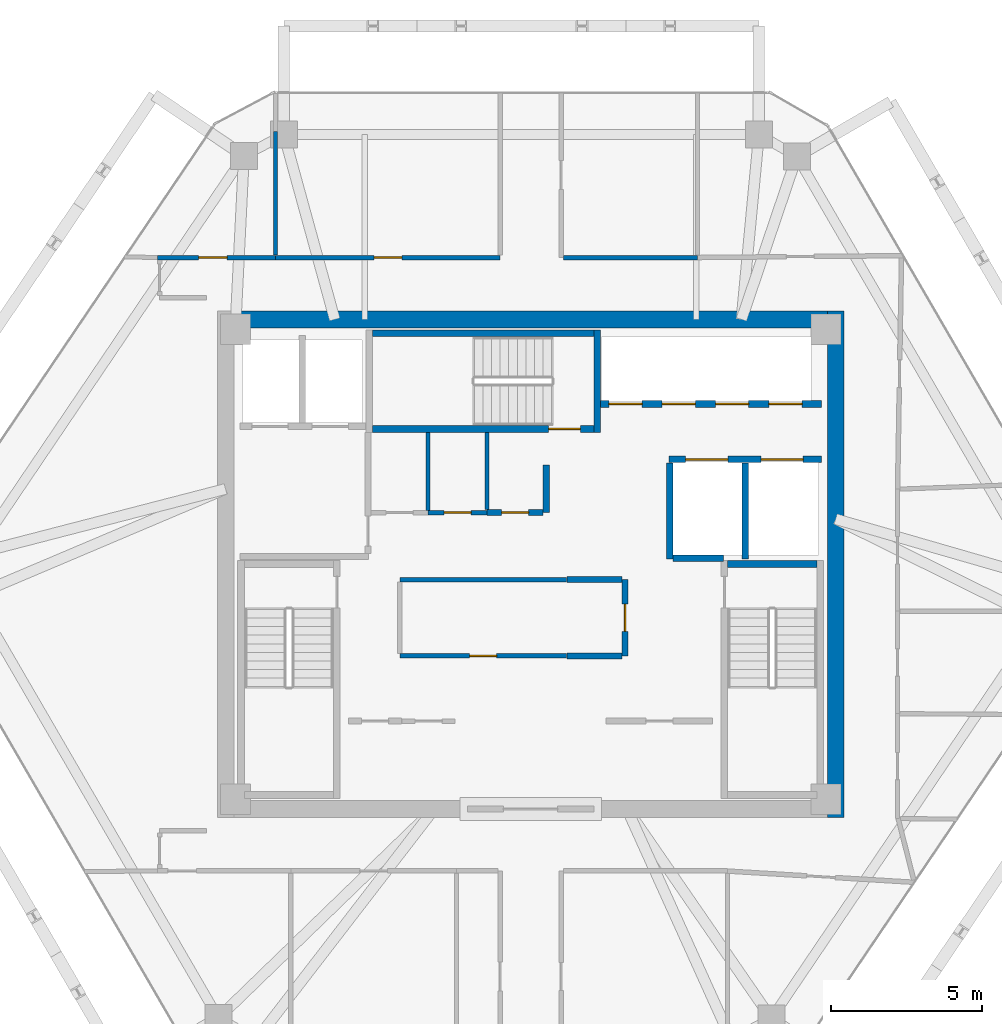
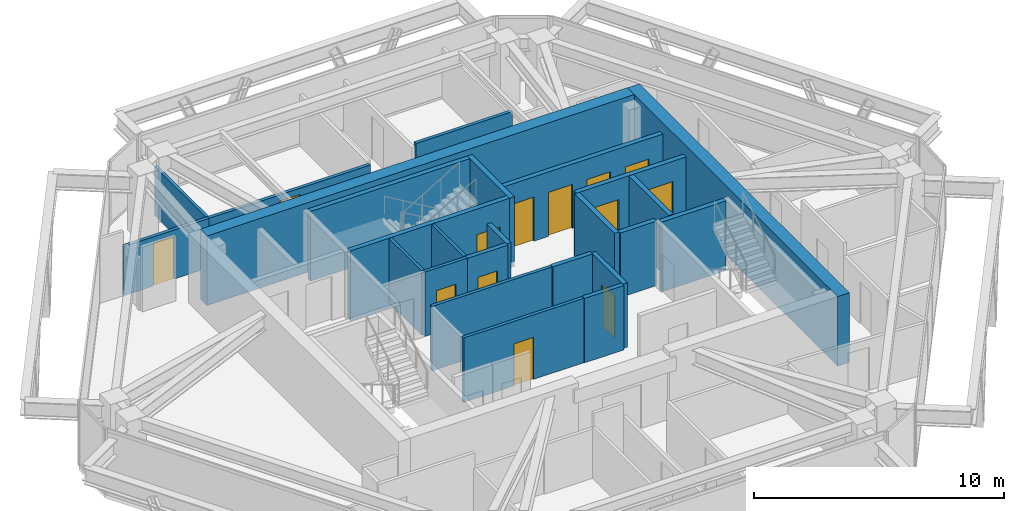
# One storey, part 9 of 11: 25 walls, 13 doors, 13 openings.
"""IFC4 building model written with IfcOpenShell, lengths in metres."""

from ifc_helpers import new_model, si_unit, direction, frame, frame_2d, origin, place, context, subcontext, project, spatial, rectangle, extrude, source, transform, mapped, material, layer, layer_set, type_object, type_shapes, element, fill, save


model = new_model("IFC4")

# Units and contexts
model_context = context("Model", 3, precision=1e-05, world=origin(), true_north=direction((0.0, 1.0)))
body_context = subcontext(model_context, "Body", "Model", "MODEL_VIEW")
ifc_project = project(units=[si_unit("LENGTHUNIT", "METRE"), si_unit("AREAUNIT", "SQUARE_METRE"), si_unit("VOLUMEUNIT", "CUBIC_METRE"), si_unit("PLANEANGLEUNIT", "RADIAN"), si_unit("MASSUNIT", "GRAM", prefix="KILO")], contexts=[model_context])

# Site, building, storey
site_placement = place(None, origin())
site = spatial("IfcSite", under=ifc_project, at=site_placement, CompositionType="ELEMENT")
building_placement = place(site_placement, origin())
building = spatial("IfcBuilding", under=site, at=building_placement, Name="Durnholm Broadcast Tower", CompositionType="ELEMENT")
storey_placement = place(building_placement, frame((0.0, 0.0, 258.10009765625)))
storey = spatial("IfcBuildingStorey", under=building, at=storey_placement, Name="L72", CompositionType="ELEMENT", Elevation=258.10009765625)

# Walls
ifc_material_1 = material(Name="Concrete C70/85", Category="concrete")
ifc_layer_1 = layer(ifc_material_1, 0.550048828125)
ifc_layer_set_1 = layer_set([ifc_layer_1], Name="Concrete C70/85")
wall_type_1 = type_object("IfcWallType", Name="WALL-CW-550", PredefinedType="SHEAR", material=ifc_layer_set_1)
wall_1_placement = place(storey_placement, frame((10.125, -8.39990234375, 0.0), z_axis=(0.0, 0.0, 1.0), x_axis=(0.0, 1.0, 0.0)))
element("IfcWall", 1, at=wall_1_placement, inside=storey, type_object=wall_type_1, Name="L72 central core shear wall CW-EAST", PredefinedType="SHEAR", context=body_context, shape_type="SweptSolid", body=[
    extrude(rectangle(XDim=16.7998046875, YDim=0.550048828125, at=frame_2d((8.39990234375, 0.0))), origin(), (0.0, 0.0, 1.0), 3.39990234375),
])
wall_2_placement = place(storey_placement, frame((-9.85009765625, 8.125, 0.0), z_axis=(0.0, 0.0, 1.0), x_axis=(1.0, 0.0, 0.0)))
element("IfcWall", 2, at=wall_2_placement, inside=storey, type_object=wall_type_1, Name="L72 central core shear wall CW-N", PredefinedType="SHEAR", context=body_context, shape_type="SweptSolid", body=[
    extrude(rectangle(XDim=19.7001953125, YDim=0.550048828125, at=frame_2d((9.85009765625, 0.0))), origin(), (0.0, 0.0, 1.0), 3.39990234375),
])

# Wall, opening, door
ifc_material_2 = material(Name="Fire-Rated Gypsum Shaftwall", Category="concrete")
ifc_layer_2 = layer(ifc_material_2, 0.199951171875)
ifc_layer_set_2 = layer_set([ifc_layer_2], Name="Fire-Rated Gypsum Shaftwall")
wall_type_2 = type_object("IfcWallType", Name="WALL-LOB-200", PredefinedType="SOLIDWALL", material=ifc_layer_set_2)
wall_3_placement = place(storey_placement, frame((3.139892578125, -0.510009765625, 0.0), z_axis=(0.0, 0.0, 1.0), x_axis=(0.0, -1.0, 0.0)))
wall_3 = element("IfcWall", 3, at=wall_3_placement, inside=storey, type_object=wall_type_2, Name="L72 Core IT Telecom Room corridor partition", PredefinedType="SOLIDWALL", context=body_context, shape_type="SweptSolid", body=[
    extrude(rectangle(XDim=2.530029296875, YDim=0.199951171875, at=frame_2d((1.26513671875, 0.0))), origin(), (0.0, 0.0, 1.0), 3.14501953125),
])
opening_1_placement = place(wall_3_placement, frame((0.81494140625, 0.0, 0.0)))
opening_1 = element("IfcOpeningElement", 4, at=opening_1_placement, cuts=wall_3, Name="Opening DC-60R", PredefinedType="OPENING", context=body_context, shape_type="SweptSolid", body=[
    extrude(rectangle(XDim=0.89990234375, YDim=2.050048828125, at=frame_2d((0.449951171875, 1.02490234375))), frame((0.0, 0.10986328125, 0.0), z_axis=(0.0, -1.0, 0.0), x_axis=(1.0, 0.0, 0.0)), (0.0, 0.0, 1.0), 0.219970703125),
])
ifc_material_3 = material(Name="Fire-Rated Core Service Door", Category="steel")
ifc_layer_3 = layer(ifc_material_3, 0.050048828125)
ifc_layer_set_3 = layer_set([ifc_layer_3], Name="Fire-Rated Core Service Door")
door_type_1 = type_object("IfcDoorType", Name="DOOR-CORE-FD60-R", OperationType="NOTDEFINED", PredefinedType="DOOR", material=ifc_layer_set_3)
shared_shape_1 = source(origin(), body_context, "Body", "SweptSolid", [
    extrude(rectangle(XDim=0.89990234375, YDim=2.050048828125, at=frame_2d((0.449951171875, 1.02490234375))), frame((0.0, 0.02490234375, 0.0), z_axis=(0.0, -1.0, 0.0), x_axis=(1.0, 0.0, 0.0)), (0.0, 0.0, 1.0), 0.050048828125),
])
type_shapes(door_type_1, [shared_shape_1])
door_1_placement = place(opening_1_placement, origin())
door_1 = element("IfcDoor", 5, at=door_1_placement, inside=storey, type_object=door_type_1, Name="L72 Core IT Telecom Room entrance door", OperationType="SINGLE_SWING_RIGHT", OverallHeight=2.050048828125, OverallWidth=0.89990234375, PredefinedType="DOOR", context=body_context, shape_type="MappedRepresentation", body=[
    mapped(shared_shape_1, transform((0.0, 0.0, 0.0), x_axis=(1.0, 0.0, 0.0), y_axis=(0.0, 1.0, 0.0), z_axis=(0.0, 0.0, 1.0), scale=1.0)),
])
fill(opening_1, door_1)

# Walls
for number, where, z_axis, x_axis, name in (
    (6, (3.035888671875, -3.0400390625, 0.0), (0.0, 0.0, 1.0), (-1.0, 0.0, 0.0), "L72 Core IT Telecom Room corridor partition"),
    (7, (1.2099609375, -0.510009765625, 0.0), (0.0, 0.0, 1.0), (1.0, 0.0, 0.0), "L72 Core IT Telecom Room corridor partition"),
):
    element("IfcWall", number, at=place(storey_placement, frame(where, z_axis=z_axis, x_axis=x_axis)), inside=storey, type_object=wall_type_2, Name=name, PredefinedType="SOLIDWALL", context=body_context, shape_type="SweptSolid", body=[
        extrude(rectangle(XDim=1.825927734375, YDim=0.199951171875, at=frame_2d((0.9130859375, 0.0))), origin(), (0.0, 0.0, 1.0), 3.14501953125),
    ])
wall_4_placement = place(storey_placement, frame((0.52001953125, 3.300048828125, 0.0), z_axis=(0.0, 0.0, 1.0), x_axis=(0.0, -1.0, 0.0)))
element("IfcWall", 8, at=wall_4_placement, inside=storey, type_object=wall_type_2, Name="L72 Core Telecom Patch Room corridor partition", PredefinedType="SOLIDWALL", context=body_context, shape_type="SweptSolid", body=[
    extrude(rectangle(XDim=1.590087890625, YDim=0.199951171875, at=frame_2d((0.794921875, 0.0))), origin(), (0.0, 0.0, 1.0), 3.14501953125),
])

# Wall, opening, door
wall_5_placement = place(storey_placement, frame((0.416015625, 1.7099609375, 0.0), z_axis=(0.0, 0.0, 1.0), x_axis=(-1.0, 0.0, 0.0)))
wall_5 = element("IfcWall", 9, at=wall_5_placement, inside=storey, type_object=wall_type_2, Name="L72 Core Telecom Patch Room corridor partition", PredefinedType="SOLIDWALL", context=body_context, shape_type="SweptSolid", body=[
    extrude(rectangle(XDim=1.85595703125, YDim=0.199951171875, at=frame_2d((0.927978515625, 0.0))), origin(), (0.0, 0.0, 1.0), 3.14501953125),
])
opening_2_placement = place(wall_5_placement, frame((0.47802734375, 0.0, 0.0)))
opening_2 = element("IfcOpeningElement", 10, at=opening_2_placement, cuts=wall_5, Name="Opening DC-60L", PredefinedType="OPENING", context=body_context, shape_type="SweptSolid", body=[
    extrude(rectangle(XDim=0.89990234375, YDim=2.050048828125, at=frame_2d((0.449951171875, 1.02490234375))), frame((0.0, 0.10986328125, 0.0), z_axis=(0.0, -1.0, 0.0), x_axis=(1.0, 0.0, 0.0)), (0.0, 0.0, 1.0), 0.219970703125),
])
ifc_layer_4 = layer(ifc_material_3, 0.050048828125)
ifc_layer_set_4 = layer_set([ifc_layer_4], Name="Fire-Rated Core Service Door")
door_type_2 = type_object("IfcDoorType", Name="DOOR-CORE-FD60-L", OperationType="NOTDEFINED", PredefinedType="DOOR", material=ifc_layer_set_4)
shared_shape_2 = source(origin(), body_context, "Body", "SweptSolid", [
    extrude(rectangle(XDim=0.89990234375, YDim=2.050048828125, at=frame_2d((0.449951171875, 1.02490234375))), frame((0.0, 0.02490234375, 0.0), z_axis=(0.0, -1.0, 0.0), x_axis=(1.0, 0.0, 0.0)), (0.0, 0.0, 1.0), 0.050048828125),
])
type_shapes(door_type_2, [shared_shape_2])
door_2_placement = place(opening_2_placement, origin())
door_2 = element("IfcDoor", 11, at=door_2_placement, inside=storey, type_object=door_type_2, Name="L72 Core Telecom Patch Room entrance door", OperationType="SINGLE_SWING_LEFT", OverallHeight=2.050048828125, OverallWidth=0.89990234375, PredefinedType="DOOR", context=body_context, shape_type="MappedRepresentation", body=[
    mapped(shared_shape_2, transform((0.0, 0.0, 0.0), x_axis=(1.0, 0.0, 0.0), y_axis=(0.0, 1.0, 0.0), z_axis=(0.0, 0.0, 1.0), scale=1.0)),
])
fill(opening_2, door_2)

# Walls
ifc_material_4 = material(Name="Gypsum Metal Stud Partition", Category="concrete")
ifc_layer_5 = layer(ifc_material_4, 0.135009765625)
ifc_layer_set_5 = layer_set([ifc_layer_5], Name="Gypsum Metal Stud Partition")
wall_type_3 = type_object("IfcWallType", Name="WALL-PART-135", PredefinedType="PARTITIONING", material=ifc_layer_set_5)
wall_6_placement = place(storey_placement, frame((-3.39990234375, 4.375, 0.0), z_axis=(0.0, 0.0, 1.0), x_axis=(0.0, -1.0, 0.0)))
element("IfcWall", 12, at=wall_6_placement, inside=storey, type_object=wall_type_3, Name="L72 room dividing partition 6.7", PredefinedType="PARTITIONING", context=body_context, shape_type="SweptSolid", body=[
    extrude(rectangle(XDim=2.5859375, YDim=0.135009765625, at=frame_2d((1.29296875, 0.0))), origin(), (0.0, 0.0, 1.0), 3.14501953125),
])
wall_7_placement = place(storey_placement, frame((-1.43994140625, 4.375, 0.0), z_axis=(0.0, 0.0, 1.0), x_axis=(0.0, -1.0, 0.0)))
element("IfcWall", 13, at=wall_7_placement, inside=storey, type_object=wall_type_3, Name="L72 room dividing partition 7.8", PredefinedType="PARTITIONING", context=body_context, shape_type="SweptSolid", body=[
    extrude(rectangle(XDim=2.56103515625, YDim=0.135009765625, at=frame_2d((1.280517578125, 0.0))), origin(), (0.0, 0.0, 1.0), 3.14501953125),
])
wall_8_placement = place(storey_placement, frame((-8.4599609375, 14.361083984375, 0.0), z_axis=(0.0, 0.0, 1.0), x_axis=(0.0, -1.0, 0.0)))
element("IfcWall", 14, at=wall_8_placement, inside=storey, type_object=wall_type_3, Name="L72 room dividing partition 12.13", PredefinedType="PARTITIONING", context=body_context, shape_type="SweptSolid", body=[
    extrude(rectangle(XDim=4.10205078125, YDim=0.135009765625, at=frame_2d((2.051025390625, 0.0))), origin(), (0.0, 0.0, 1.0), 2.401123046875),
])

# Wall, opening, door
ifc_material_5 = material(Name="Acoustic Gypsum Stud Partition", Category="concrete")
ifc_layer_6 = layer(ifc_material_5, 0.14990234375)
ifc_layer_set_6 = layer_set([ifc_layer_6], Name="Acoustic Gypsum Stud Partition")
wall_type_4 = type_object("IfcWallType", Name="WALL-PART-150", PredefinedType="PARTITIONING", material=ifc_layer_set_6)
wall_9_placement = place(storey_placement, frame((1.18994140625, -3.0400390625, 0.0), z_axis=(0.0, 0.0, 1.0), x_axis=(-1.0, 0.0, 0.0)))
wall_9 = element("IfcWall", 15, at=wall_9_placement, inside=storey, type_object=wall_type_4, Name="L72 Broadcast Equipment Store corridor partition", PredefinedType="PARTITIONING", context=body_context, shape_type="SweptSolid", body=[
    extrude(rectangle(XDim=5.530029296875, YDim=0.14990234375, at=frame_2d((2.76513671875, 0.0))), origin(), (0.0, 0.0, 1.0), 3.14501953125),
])
opening_3_placement = place(wall_9_placement, frame((2.31494140625, 0.0, 0.0)))
opening_3 = element("IfcOpeningElement", 16, at=opening_3_placement, cuts=wall_9, Name="Opening DC-60L", PredefinedType="OPENING", context=body_context, shape_type="SweptSolid", body=[
    extrude(rectangle(XDim=0.89990234375, YDim=2.050048828125, at=frame_2d((0.449951171875, 1.02490234375))), frame((0.0, 0.0849609375, 0.0), z_axis=(0.0, -1.0, 0.0), x_axis=(1.0, 0.0, 0.0)), (0.0, 0.0, 1.0), 0.169921875),
])
door_3_placement = place(opening_3_placement, origin())
door_3 = element("IfcDoor", 17, at=door_3_placement, inside=storey, type_object=door_type_2, Name="L72 Broadcast Equipment Store entrance door", OperationType="SINGLE_SWING_LEFT", OverallHeight=2.050048828125, OverallWidth=0.89990234375, PredefinedType="DOOR", context=body_context, shape_type="MappedRepresentation", body=[
    mapped(shared_shape_2, transform((0.0, 0.0, 0.0), x_axis=(1.0, 0.0, 0.0), y_axis=(0.0, 1.0, 0.0), z_axis=(0.0, 0.0, 1.0), scale=1.0)),
])
fill(opening_3, door_3)

# Wall
wall_10_placement = place(storey_placement, frame((-4.340087890625, -0.510009765625, 0.0), z_axis=(0.0, 0.0, 1.0), x_axis=(1.0, 0.0, 0.0)))
element("IfcWall", 18, at=wall_10_placement, inside=storey, type_object=wall_type_4, Name="L72 Broadcast Equipment Store corridor partition", PredefinedType="PARTITIONING", context=body_context, shape_type="SweptSolid", body=[
    extrude(rectangle(XDim=5.530029296875, YDim=0.14990234375, at=frame_2d((2.76513671875, 0.0))), origin(), (0.0, 0.0, 1.0), 3.14501953125),
])

# Wall, opening, door
wall_11_placement = place(storey_placement, frame((-1.43994140625, 1.7099609375, 0.0), z_axis=(0.0, 0.0, 1.0), x_axis=(-1.0, 0.0, 0.0)))
wall_11 = element("IfcWall", 19, at=wall_11_placement, inside=storey, type_object=wall_type_4, Name="L72 Core Janitor Supply Closet corridor partition", PredefinedType="PARTITIONING", context=body_context, shape_type="SweptSolid", body=[
    extrude(rectangle(XDim=1.9599609375, YDim=0.14990234375, at=frame_2d((0.97998046875, 0.0))), origin(), (0.0, 0.0, 1.0), 3.14501953125),
])
opening_4_placement = place(wall_11_placement, frame((0.530029296875, 0.0, 0.0)))
opening_4 = element("IfcOpeningElement", 20, at=opening_4_placement, cuts=wall_11, Name="Opening DC-60R", PredefinedType="OPENING", context=body_context, shape_type="SweptSolid", body=[
    extrude(rectangle(XDim=0.89990234375, YDim=2.050048828125, at=frame_2d((0.449951171875, 1.02490234375))), frame((0.0, 0.0849609375, 0.0), z_axis=(0.0, -1.0, 0.0), x_axis=(1.0, 0.0, 0.0)), (0.0, 0.0, 1.0), 0.169921875),
])
door_4_placement = place(opening_4_placement, origin())
door_4 = element("IfcDoor", 21, at=door_4_placement, inside=storey, type_object=door_type_1, Name="L72 Core Janitor Supply Closet entrance door", OperationType="SINGLE_SWING_RIGHT", OverallHeight=2.050048828125, OverallWidth=0.89990234375, PredefinedType="DOOR", context=body_context, shape_type="MappedRepresentation", body=[
    mapped(shared_shape_1, transform((0.0, 0.0, 0.0), x_axis=(1.0, 0.0, 0.0), y_axis=(0.0, 1.0, 0.0), z_axis=(0.0, 0.0, 1.0), scale=1.0)),
])
fill(opening_4, door_4)

wall_12_placement = place(storey_placement, frame((-8.4599609375, 10.179931640625, 0.0), z_axis=(0.0, 0.0, 1.0), x_axis=(-1.0, 0.0, 0.0)))
wall_12 = element("IfcWall", 22, at=wall_12_placement, inside=storey, type_object=wall_type_4, Name="L72 Fellows Meeting Room 1 corridor partition", PredefinedType="PARTITIONING", context=body_context, shape_type="SweptSolid", body=[
    extrude(rectangle(XDim=3.929931640625, YDim=0.14990234375, at=frame_2d((1.96484375, 0.0))), origin(), (0.0, 0.0, 1.0), 2.401123046875),
])
opening_5_placement = place(wall_12_placement, frame((1.610107421875, 0.0, 0.0)))
opening_5 = element("IfcOpeningElement", 23, at=opening_5_placement, cuts=wall_12, Name="Opening DR-95L", PredefinedType="OPENING", context=body_context, shape_type="SweptSolid", body=[
    extrude(rectangle(XDim=0.949951171875, YDim=2.10009765625, at=frame_2d((0.47509765625, 1.050048828125))), frame((0.0, 0.0849609375, 0.0), z_axis=(0.0, -1.0, 0.0), x_axis=(1.0, 0.0, 0.0)), (0.0, 0.0, 1.0), 0.169921875),
])
ifc_material_6 = material(Name="Acoustic Oak Veneer Timber Door", Category="wood")
ifc_layer_7 = layer(ifc_material_6, 0.050048828125)
ifc_layer_set_7 = layer_set([ifc_layer_7], Name="Acoustic Oak Veneer Timber Door")
door_type_3 = type_object("IfcDoorType", Name="DOOR-RM-950L", OperationType="NOTDEFINED", PredefinedType="DOOR", material=ifc_layer_set_7)
shared_shape_3 = source(origin(), body_context, "Body", "SweptSolid", [
    extrude(rectangle(XDim=0.949951171875, YDim=2.10009765625, at=frame_2d((0.47509765625, 1.050048828125))), frame((0.0, 0.02490234375, 0.0), z_axis=(0.0, -1.0, 0.0), x_axis=(1.0, 0.0, 0.0)), (0.0, 0.0, 1.0), 0.050048828125),
])
type_shapes(door_type_3, [shared_shape_3])
door_5_placement = place(opening_5_placement, origin())
door_5 = element("IfcDoor", 24, at=door_5_placement, inside=storey, type_object=door_type_3, Name="L72 Fellows Meeting Room 1 entrance door", OperationType="SINGLE_SWING_LEFT", OverallHeight=2.10009765625, OverallWidth=0.949951171875, PredefinedType="DOOR", context=body_context, shape_type="MappedRepresentation", body=[
    mapped(shared_shape_3, transform((0.0, 0.0, 0.0), x_axis=(1.0, 0.0, 0.0), y_axis=(0.0, 1.0, 0.0), z_axis=(0.0, 0.0, 1.0), scale=1.0)),
])
fill(opening_5, door_5)

wall_13_placement = place(storey_placement, frame((-1.010009765625, 10.179931640625, 0.0), z_axis=(0.0, 0.0, 1.0), x_axis=(-1.0, 0.0, 0.0)))
wall_13 = element("IfcWall", 25, at=wall_13_placement, inside=storey, type_object=wall_type_4, Name="L72 Fellows Meeting Room 2 corridor partition", PredefinedType="PARTITIONING", context=body_context, shape_type="SweptSolid", body=[
    extrude(rectangle(XDim=7.449951171875, YDim=0.14990234375, at=frame_2d((3.72509765625, 0.0))), origin(), (0.0, 0.0, 1.0), 2.401123046875),
])
opening_6_placement = place(wall_13_placement, frame((3.264892578125, 0.0, 0.0)))
opening_6 = element("IfcOpeningElement", 26, at=opening_6_placement, cuts=wall_13, Name="Opening DR-92R", PredefinedType="OPENING", context=body_context, shape_type="SweptSolid", body=[
    extrude(rectangle(XDim=0.919921875, YDim=2.10009765625, at=frame_2d((0.4599609375, 1.050048828125))), frame((0.0, 0.0849609375, 0.0), z_axis=(0.0, -1.0, 0.0), x_axis=(1.0, 0.0, 0.0)), (0.0, 0.0, 1.0), 0.169921875),
])
ifc_material_7 = material(Name="Oak Veneer Office Door", Category="wood")
ifc_layer_8 = layer(ifc_material_7, 0.050048828125)
ifc_layer_set_8 = layer_set([ifc_layer_8], Name="Oak Veneer Office Door")
door_type_4 = type_object("IfcDoorType", Name="DOOR-RM-920R", OperationType="NOTDEFINED", PredefinedType="DOOR", material=ifc_layer_set_8)
shared_shape_4 = source(origin(), body_context, "Body", "SweptSolid", [
    extrude(rectangle(XDim=0.919921875, YDim=2.10009765625, at=frame_2d((0.4599609375, 1.050048828125))), frame((0.0, 0.02490234375, 0.0), z_axis=(0.0, -1.0, 0.0), x_axis=(1.0, 0.0, 0.0)), (0.0, 0.0, 1.0), 0.050048828125),
])
type_shapes(door_type_4, [shared_shape_4])
door_6_placement = place(opening_6_placement, origin())
door_6 = element("IfcDoor", 27, at=door_6_placement, inside=storey, type_object=door_type_4, Name="L72 Fellows Meeting Room 2 entrance door", OperationType="SINGLE_SWING_RIGHT", OverallHeight=2.10009765625, OverallWidth=0.919921875, PredefinedType="DOOR", context=body_context, shape_type="MappedRepresentation", body=[
    mapped(shared_shape_4, transform((0.0, 0.0, 0.0), x_axis=(1.0, 0.0, 0.0), y_axis=(0.0, 1.0, 0.0), z_axis=(0.0, 0.0, 1.0), scale=1.0)),
])
fill(opening_6, door_6)

# Wall
wall_14_placement = place(storey_placement, frame((5.5400390625, 10.179931640625, 0.0), z_axis=(0.0, 0.0, 1.0), x_axis=(-1.0, 0.0, 0.0)))
element("IfcWall", 28, at=wall_14_placement, inside=storey, type_object=wall_type_4, Name="L72 Fellows Meeting Room 3 corridor partition", PredefinedType="PARTITIONING", context=body_context, shape_type="SweptSolid", body=[
    extrude(rectangle(XDim=4.450927734375, YDim=0.14990234375, at=frame_2d((2.2255859375, 0.0))), origin(), (0.0, 0.0, 1.0), 2.708251953125),
])

# Wall, openings, doors
ifc_material_8 = material(Name="Concrete Blockwork C30/37", Category="masonry")
ifc_layer_9 = layer(ifc_material_8, 0.219970703125)
ifc_layer_set_9 = layer_set([ifc_layer_9], Name="Concrete Blockwork C30/37")
wall_type_5 = type_object("IfcWallType", Name="WALL-SHAFT-220", PredefinedType="SOLIDWALL", material=ifc_layer_set_9)
wall_15_placement = place(storey_placement, frame((4.60009765625, 3.47998046875, 0.0), z_axis=(0.0, 0.0, 1.0), x_axis=(1.0, 0.0, 0.0)))
wall_15 = element("IfcWall", 29, at=wall_15_placement, inside=storey, type_object=wall_type_5, Name="L72 freight service lifts north front wall", PredefinedType="SOLIDWALL", context=body_context, shape_type="SweptSolid", body=[
    extrude(rectangle(XDim=5.0498046875, YDim=0.219970703125, at=frame_2d((2.52490234375, 0.0))), origin(), (0.0, 0.0, 1.0), 3.14501953125),
])
opening_7_placement = place(wall_15_placement, frame((0.550048828125, 0.0, 0.0)))
opening_7 = element("IfcOpeningElement", 30, at=opening_7_placement, cuts=wall_15, Name="Opening LD-SVL-2", PredefinedType="OPENING", context=body_context, shape_type="SweptSolid", body=[
    extrude(rectangle(XDim=1.39990234375, YDim=2.14990234375, at=frame_2d((0.699951171875, 1.074951171875))), frame((0.0, 0.1201171875, 0.0), z_axis=(0.0, -1.0, 0.0), x_axis=(1.0, 0.0, 0.0)), (0.0, 0.0, 1.0), 0.239990234375),
])
opening_8_placement = place(wall_15_placement, frame((3.050048828125, 0.0, 0.0)))
opening_8 = element("IfcOpeningElement", 31, at=opening_8_placement, cuts=wall_15, Name="Opening LD-SVL-1", PredefinedType="OPENING", context=body_context, shape_type="SweptSolid", body=[
    extrude(rectangle(XDim=1.39990234375, YDim=2.14990234375, at=frame_2d((0.699951171875, 1.074951171875))), frame((0.0, 0.1201171875, 0.0), z_axis=(0.0, -1.0, 0.0), x_axis=(1.0, 0.0, 0.0)), (0.0, 0.0, 1.0), 0.239990234375),
])
ifc_material_9 = material(Name="Freight Elevator Bi-Parting Sliding Landing Door", Category="steel")
ifc_layer_10 = layer(ifc_material_9, 0.050048828125)
ifc_layer_set_10 = layer_set([ifc_layer_10], Name="Freight Elevator Bi-Parting Sliding Landing Door")
door_type_5 = type_object("IfcDoorType", Name="DOOR-LIFT-SVL", OperationType="DOUBLE_DOOR_SLIDING", PredefinedType="DOOR", material=ifc_layer_set_10)
shared_shape_5 = source(origin(), body_context, "Body", "SweptSolid", [
    extrude(rectangle(XDim=1.39990234375, YDim=2.14990234375, at=frame_2d((0.699951171875, 1.074951171875))), frame((0.0, 0.02490234375, 0.0), z_axis=(0.0, -1.0, 0.0), x_axis=(1.0, 0.0, 0.0)), (0.0, 0.0, 1.0), 0.050048828125),
])
type_shapes(door_type_5, [shared_shape_5])
door_7_placement = place(opening_7_placement, origin())
door_7 = element("IfcDoor", 32, at=door_7_placement, inside=storey, type_object=door_type_5, Name="L72 freight service elevator SVL-2 sliding landing door", OperationType="DOUBLE_DOOR_SLIDING", OverallHeight=2.14990234375, OverallWidth=1.39990234375, PredefinedType="DOOR", context=body_context, shape_type="MappedRepresentation", body=[
    mapped(shared_shape_5, transform((0.0, 0.0, 0.0), x_axis=(1.0, 0.0, 0.0), y_axis=(0.0, 1.0, 0.0), z_axis=(0.0, 0.0, 1.0), scale=1.0)),
])
fill(opening_7, door_7)
door_8_placement = place(opening_8_placement, origin())
door_8 = element("IfcDoor", 33, at=door_8_placement, inside=storey, type_object=door_type_5, Name="L72 freight service elevator SVL-1 sliding landing door", OperationType="DOUBLE_DOOR_SLIDING", OverallHeight=2.14990234375, OverallWidth=1.39990234375, PredefinedType="DOOR", context=body_context, shape_type="MappedRepresentation", body=[
    mapped(shared_shape_5, transform((0.0, 0.0, 0.0), x_axis=(1.0, 0.0, 0.0), y_axis=(0.0, 1.0, 0.0), z_axis=(0.0, 0.0, 1.0), scale=1.0)),
])
fill(opening_8, door_8)

# Walls
for number, where, z_axis, x_axis, name in (
    (34, (4.6201171875, 0.179931640625, 0.0), (0.0, 0.0, 1.0), (0.0, 1.0, 0.0), "L72 freight service lift SVL-2 west wall"),
    (35, (7.1201171875, 0.179931640625, 0.0), (0.0, 0.0, 1.0), (0.0, 1.0, 0.0), "L72 freight service lifts divider wall"),
):
    element("IfcWall", number, at=place(storey_placement, frame(where, z_axis=z_axis, x_axis=x_axis)), inside=storey, type_object=wall_type_5, Name=name, PredefinedType="SOLIDWALL", context=body_context, shape_type="SweptSolid", body=[
        extrude(rectangle(XDim=3.18603515625, YDim=0.219970703125, at=frame_2d((1.593017578125, 0.0))), origin(), (0.0, 0.0, 1.0), 3.14501953125),
    ])
wall_16_placement = place(storey_placement, frame((4.73388671875, 0.199951171875, 0.0), z_axis=(0.0, 0.0, 1.0), x_axis=(1.0, 0.0, 0.0)))
element("IfcWall", 36, at=wall_16_placement, inside=storey, type_object=wall_type_5, Name="L72 freight service lift SVL-2 south wall", PredefinedType="SOLIDWALL", context=body_context, shape_type="SweptSolid", body=[
    extrude(rectangle(XDim=1.666015625, YDim=0.219970703125, at=frame_2d((0.8330078125, 0.0))), origin(), (0.0, 0.0, 1.0), 3.14501953125),
])

# Wall, openings, doors
wall_17_placement = place(storey_placement, frame((2.324951171875, 5.320068359375, 0.0), z_axis=(0.0, 0.0, 1.0), x_axis=(1.0, 0.0, 0.0)))
wall_17 = element("IfcWall", 37, at=wall_17_placement, inside=storey, type_object=wall_type_5, Name="L72 high-rise bank P3 south front wall", PredefinedType="SOLIDWALL", context=body_context, shape_type="SweptSolid", body=[
    extrude(rectangle(XDim=7.324951171875, YDim=0.219970703125, at=frame_2d((3.66259765625, 0.0))), origin(), (0.0, 0.0, 1.0), 3.14501953125),
])
opening_9_placement = place(wall_17_placement, frame((0.27490234375, 0.0, 0.0)))
opening_9 = element("IfcOpeningElement", 38, at=opening_9_placement, cuts=wall_17, Name="Opening LD-LP3-1", PredefinedType="OPENING", context=body_context, shape_type="SweptSolid", body=[
    extrude(rectangle(XDim=1.10009765625, YDim=2.14990234375, at=frame_2d((0.550048828125, 1.074951171875))), frame((0.0, 0.1201171875, 0.0), z_axis=(0.0, -1.0, 0.0), x_axis=(1.0, 0.0, 0.0)), (0.0, 0.0, 1.0), 0.239990234375),
])
opening_10_placement = place(wall_17_placement, frame((2.044921875, 0.0, 0.0)))
opening_10 = element("IfcOpeningElement", 39, at=opening_10_placement, cuts=wall_17, Name="Opening LD-LP3-2", PredefinedType="OPENING", context=body_context, shape_type="SweptSolid", body=[
    extrude(rectangle(XDim=1.10009765625, YDim=2.14990234375, at=frame_2d((0.550048828125, 1.074951171875))), frame((0.0, 0.1201171875, 0.0), z_axis=(0.0, -1.0, 0.0), x_axis=(1.0, 0.0, 0.0)), (0.0, 0.0, 1.0), 0.239990234375),
])
opening_11_placement = place(wall_17_placement, frame((3.81494140625, 0.0, 0.0)))
opening_11 = element("IfcOpeningElement", 40, at=opening_11_placement, cuts=wall_17, Name="Opening LD-LP3-3", PredefinedType="OPENING", context=body_context, shape_type="SweptSolid", body=[
    extrude(rectangle(XDim=1.10009765625, YDim=2.14990234375, at=frame_2d((0.550048828125, 1.074951171875))), frame((0.0, 0.1201171875, 0.0), z_axis=(0.0, -1.0, 0.0), x_axis=(1.0, 0.0, 0.0)), (0.0, 0.0, 1.0), 0.239990234375),
])
opening_12_placement = place(wall_17_placement, frame((5.5849609375, 0.0, 0.0)))
opening_12 = element("IfcOpeningElement", 41, at=opening_12_placement, cuts=wall_17, Name="Opening LD-LP3-4", PredefinedType="OPENING", context=body_context, shape_type="SweptSolid", body=[
    extrude(rectangle(XDim=1.10009765625, YDim=2.14990234375, at=frame_2d((0.550048828125, 1.074951171875))), frame((0.0, 0.1201171875, 0.0), z_axis=(0.0, -1.0, 0.0), x_axis=(1.0, 0.0, 0.0)), (0.0, 0.0, 1.0), 0.239990234375),
])
ifc_material_10 = material(Name="Stainless Steel Sliding Elevator Landing Door", Category="steel")
ifc_layer_11 = layer(ifc_material_10, 0.050048828125)
ifc_layer_set_11 = layer_set([ifc_layer_11], Name="Stainless Steel Sliding Elevator Landing Door")
door_type_6 = type_object("IfcDoorType", Name="DOOR-LIFT-PAX", OperationType="DOUBLE_DOOR_SLIDING", PredefinedType="DOOR", material=ifc_layer_set_11)
shared_shape_6 = source(origin(), body_context, "Body", "SweptSolid", [
    extrude(rectangle(XDim=1.10009765625, YDim=2.14990234375, at=frame_2d((0.550048828125, 1.074951171875))), frame((0.0, 0.02490234375, 0.0), z_axis=(0.0, -1.0, 0.0), x_axis=(1.0, 0.0, 0.0)), (0.0, 0.0, 1.0), 0.050048828125),
])
type_shapes(door_type_6, [shared_shape_6])
door_9_placement = place(opening_9_placement, origin())
door_9 = element("IfcDoor", 42, at=door_9_placement, inside=storey, type_object=door_type_6, Name="L72 high-rise elevator LP3-1 sliding landing door", OperationType="DOUBLE_DOOR_SLIDING", OverallHeight=2.14990234375, OverallWidth=1.10009765625, PredefinedType="DOOR", context=body_context, shape_type="MappedRepresentation", body=[
    mapped(shared_shape_6, transform((0.0, 0.0, 0.0), x_axis=(1.0, 0.0, 0.0), y_axis=(0.0, 1.0, 0.0), z_axis=(0.0, 0.0, 1.0), scale=1.0)),
])
fill(opening_9, door_9)
door_10_placement = place(opening_10_placement, origin())
door_10 = element("IfcDoor", 43, at=door_10_placement, inside=storey, type_object=door_type_6, Name="L72 high-rise elevator LP3-2 sliding landing door", OperationType="DOUBLE_DOOR_SLIDING", OverallHeight=2.14990234375, OverallWidth=1.10009765625, PredefinedType="DOOR", context=body_context, shape_type="MappedRepresentation", body=[
    mapped(shared_shape_6, transform((0.0, 0.0, 0.0), x_axis=(1.0, 0.0, 0.0), y_axis=(0.0, 1.0, 0.0), z_axis=(0.0, 0.0, 1.0), scale=1.0)),
])
fill(opening_10, door_10)
door_11_placement = place(opening_11_placement, origin())
door_11 = element("IfcDoor", 44, at=door_11_placement, inside=storey, type_object=door_type_6, Name="L72 high-rise elevator LP3-3 sliding landing door", OperationType="DOUBLE_DOOR_SLIDING", OverallHeight=2.14990234375, OverallWidth=1.10009765625, PredefinedType="DOOR", context=body_context, shape_type="MappedRepresentation", body=[
    mapped(shared_shape_6, transform((0.0, 0.0, 0.0), x_axis=(1.0, 0.0, 0.0), y_axis=(0.0, 1.0, 0.0), z_axis=(0.0, 0.0, 1.0), scale=1.0)),
])
fill(opening_11, door_11)
door_12_placement = place(opening_12_placement, origin())
door_12 = element("IfcDoor", 45, at=door_12_placement, inside=storey, type_object=door_type_6, Name="L72 high-rise elevator LP3-4 sliding landing door", OperationType="DOUBLE_DOOR_SLIDING", OverallHeight=2.14990234375, OverallWidth=1.10009765625, PredefinedType="DOOR", context=body_context, shape_type="MappedRepresentation", body=[
    mapped(shared_shape_6, transform((0.0, 0.0, 0.0), x_axis=(1.0, 0.0, 0.0), y_axis=(0.0, 1.0, 0.0), z_axis=(0.0, 0.0, 1.0), scale=1.0)),
])
fill(opening_12, door_12)

# Walls
ifc_material_11 = material(Name="Concrete C50/60", Category="concrete")
ifc_layer_12 = layer(ifc_material_11, 0.219970703125)
ifc_layer_set_12 = layer_set([ifc_layer_12], Name="Concrete C50/60")
wall_type_6 = type_object("IfcWallType", Name="WALL-SW-220", PredefinedType="SHEAR", material=ifc_layer_set_12)
wall_18_placement = place(storey_placement, frame((9.5, 0.010009765625, -0.239990234375), z_axis=(0.0, 0.0, 1.0), x_axis=(-1.0, 0.0, 0.0)))
element("IfcWall", 46, at=wall_18_placement, inside=storey, type_object=wall_type_6, Name="L72 stair ST-2 structural shaft wall N", PredefinedType="SHEAR", context=body_context, shape_type="SweptSolid", body=[
    extrude(rectangle(XDim=2.9599609375, YDim=0.219970703125, at=frame_2d((1.47998046875, 0.0))), origin(), (0.0, 0.0, 1.0), 3.39990234375),
])
wall_19_placement = place(storey_placement, frame((2.2099609375, 4.3798828125, -0.239990234375), z_axis=(0.0, 0.0, 1.0), x_axis=(0.0, 1.0, 0.0)))
element("IfcWall", 47, at=wall_19_placement, inside=storey, type_object=wall_type_6, Name="L72 stair ST-3 structural shaft wall E", PredefinedType="SHEAR", context=body_context, shape_type="SweptSolid", body=[
    extrude(rectangle(XDim=3.400146484375, YDim=0.219970703125, at=frame_2d((1.7001953125, 0.0))), origin(), (0.0, 0.0, 1.0), 3.39990234375),
])

# Wall, opening, door
wall_20_placement = place(storey_placement, frame((-5.25, 4.489990234375, -0.239990234375), z_axis=(0.0, 0.0, 1.0), x_axis=(1.0, 0.0, 0.0)))
wall_20 = element("IfcWall", 48, at=wall_20_placement, inside=storey, type_object=wall_type_6, Name="L72 stair ST-3 structural shaft wall S", PredefinedType="SHEAR", context=body_context, shape_type="SweptSolid", body=[
    extrude(rectangle(XDim=7.35009765625, YDim=0.219970703125, at=frame_2d((3.675048828125, 0.0))), origin(), (0.0, 0.0, 1.0), 3.39990234375),
])
opening_13_placement = place(wall_20_placement, frame((5.85009765625, 0.0, 0.0)))
opening_13 = element("IfcOpeningElement", 49, at=opening_13_placement, cuts=wall_20, Name="Opening DS-90L", PredefinedType="OPENING", context=body_context, shape_type="SweptSolid", body=[
    extrude(rectangle(XDim=1.050048828125, YDim=2.14990234375, at=frame_2d((0.52490234375, 1.074951171875))), frame((0.0, 0.1201171875, 0.0), z_axis=(0.0, -1.0, 0.0), x_axis=(1.0, 0.0, 0.0)), (0.0, 0.0, 1.0), 0.239990234375),
])
ifc_material_12 = material(Name="Fire-Rated Steel Door", Category="steel")
ifc_layer_13 = layer(ifc_material_12, 0.050048828125)
ifc_layer_set_13 = layer_set([ifc_layer_13], Name="Fire-Rated Steel Door")
door_type_7 = type_object("IfcDoorType", Name="DOOR-ST-FD90-L", OperationType="NOTDEFINED", PredefinedType="DOOR", material=ifc_layer_set_13)
shared_shape_7 = source(origin(), body_context, "Body", "SweptSolid", [
    extrude(rectangle(XDim=1.050048828125, YDim=2.14990234375, at=frame_2d((0.52490234375, 1.074951171875))), frame((0.0, 0.02490234375, 0.0), z_axis=(0.0, -1.0, 0.0), x_axis=(1.0, 0.0, 0.0)), (0.0, 0.0, 1.0), 0.050048828125),
])
type_shapes(door_type_7, [shared_shape_7])
door_13_placement = place(opening_13_placement, origin())
door_13 = element("IfcDoor", 50, at=door_13_placement, inside=storey, type_object=door_type_7, Name="L72 exit stair ST-3 fire door", OperationType="SINGLE_SWING_LEFT", OverallHeight=2.14990234375, OverallWidth=1.050048828125, PredefinedType="DOOR", context=body_context, shape_type="MappedRepresentation", body=[
    mapped(shared_shape_7, transform((0.0, 0.0, 0.0), x_axis=(1.0, 0.0, 0.0), y_axis=(0.0, 1.0, 0.0), z_axis=(0.0, 0.0, 1.0), scale=1.0)),
])
fill(opening_13, door_13)

# Wall
wall_21_placement = place(storey_placement, frame((2.10009765625, 7.669921875, -0.239990234375), z_axis=(0.0, 0.0, 1.0), x_axis=(-1.0, 0.0, 0.0)))
element("IfcWall", 51, at=wall_21_placement, inside=storey, type_object=wall_type_6, Name="L72 stair ST-3 structural shaft wall N", PredefinedType="SHEAR", context=body_context, shape_type="SweptSolid", body=[
    extrude(rectangle(XDim=7.35009765625, YDim=0.219970703125, at=frame_2d((3.675048828125, 0.0))), origin(), (0.0, 0.0, 1.0), 3.39990234375),
])

save(model, "model.ifc")
